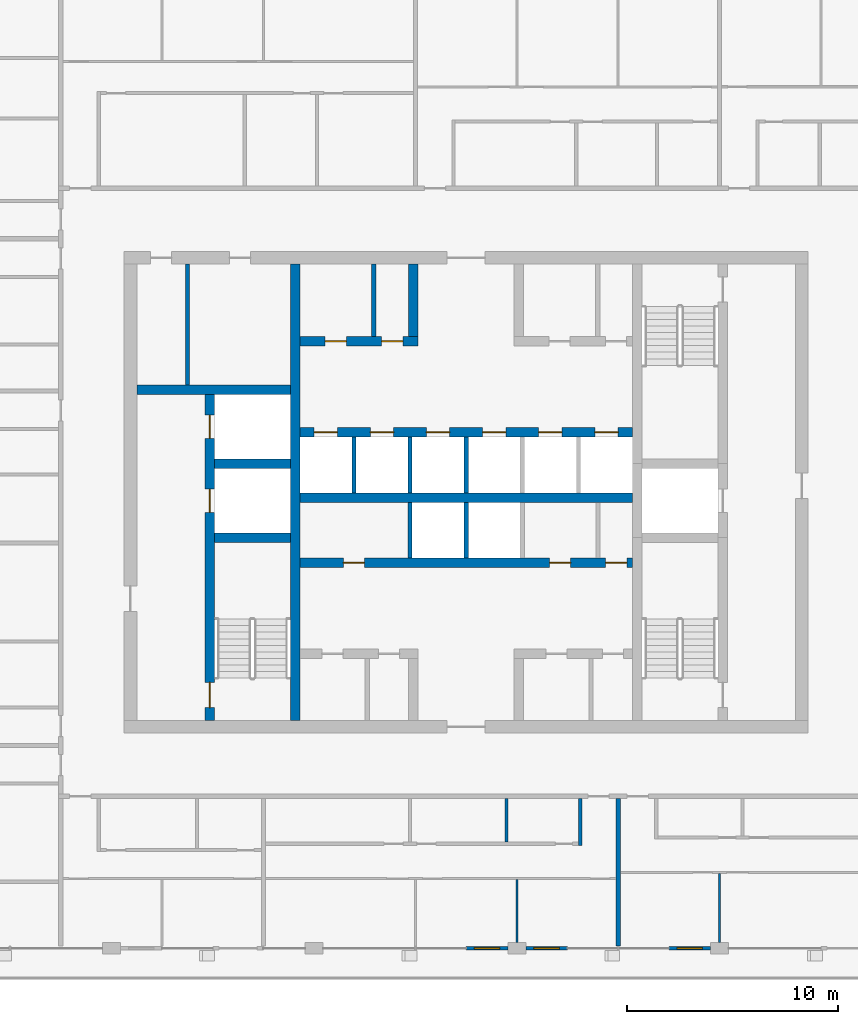
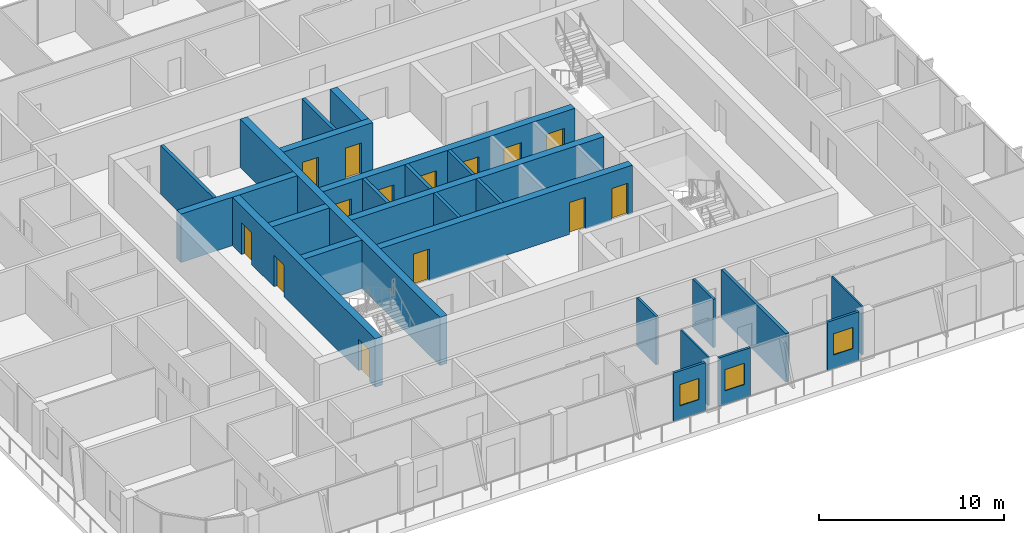
# One storey, part 11 of 22: 25 walls, 14 doors, 3 windows, 17 openings.
"""IFC4 building model written with IfcOpenShell, lengths in metres."""

from ifc_helpers import new_model, si_unit, direction, frame, frame_2d, origin, place, context, subcontext, project, spatial, rectangle, extrude, material, layer, layer_set, type_object, element, fill, save


model = new_model("IFC4")

# Units and contexts
model_context = context("Model", 3, precision=1e-05, world=origin(), true_north=direction((0.0, 1.0)))
body_context = subcontext(model_context, "Body", "Model", "MODEL_VIEW")
ifc_project = project(units=[si_unit("LENGTHUNIT", "METRE"), si_unit("AREAUNIT", "SQUARE_METRE"), si_unit("VOLUMEUNIT", "CUBIC_METRE"), si_unit("PLANEANGLEUNIT", "RADIAN"), si_unit("MASSUNIT", "GRAM", prefix="KILO")], contexts=[model_context])

# Site, building, storey
site_placement = place(None, origin())
site = spatial("IfcSite", under=ifc_project, at=site_placement, CompositionType="ELEMENT")
building_placement = place(site_placement, origin())
building = spatial("IfcBuilding", under=site, at=building_placement, Name="Madar Terraces", CompositionType="ELEMENT")
storey_placement = place(building_placement, frame((0.0, 0.0, 249.199951171875)))
storey = spatial("IfcBuildingStorey", under=building, at=storey_placement, Name="L65", CompositionType="ELEMENT", Elevation=249.199951171875)

# Wall, openings, doors
ifc_material_1 = material(Name="Concrete C55/67", Category="concrete")
ifc_layer_1 = layer(ifc_material_1, 0.449951171875)
ifc_layer_set_1 = layer_set([ifc_layer_1], Name="Concrete C55/67 (CIW5 RC wall 450)")
wall_type_1 = type_object("IfcWallType", Name="CIW5 RC wall 450", PredefinedType="SHEAR", material=ifc_layer_set_1)
wall_1_placement = place(storey_placement, frame((19.050048828125, 15.60009765625, 0.0), z_axis=(0.0, 0.0, 1.0), x_axis=(0.0, 1.0, 0.0)))
wall_1 = element("IfcWall", 1, at=wall_1_placement, inside=storey, type_object=wall_type_1, Name="CORE SHAFT WALL", PredefinedType="SHEAR", context=body_context, shape_type="SweptSolid", body=[
    extrude(rectangle(XDim=15.4248046875, YDim=0.449951171875, at=frame_2d((7.71240234375, 0.0))), origin(), (0.0, 0.0, 1.0), 3.199951171875),
])
opening_1_placement = place(wall_1_placement, frame((9.85009765625, 0.0, 0.0)))
opening_1 = element("IfcOpeningElement", 2, at=opening_1_placement, cuts=wall_1, Name="Opening LD", PredefinedType="OPENING", context=body_context, shape_type="SweptSolid", body=[
    extrude(rectangle(XDim=1.10009765625, YDim=2.10009765625, at=frame_2d((0.550048828125, 1.050048828125))), frame((0.0, 0.23486328125, 0.0), z_axis=(0.0, -1.0, 0.0), x_axis=(1.0, 0.0, 0.0)), (0.0, 0.0, 1.0), 0.469970703125),
])
opening_2_placement = place(wall_1_placement, frame((13.35009765625, 0.0, 0.0)))
opening_2 = element("IfcOpeningElement", 3, at=opening_2_placement, cuts=wall_1, Name="Opening LD", PredefinedType="OPENING", context=body_context, shape_type="SweptSolid", body=[
    extrude(rectangle(XDim=1.10009765625, YDim=2.10009765625, at=frame_2d((0.550048828125, 1.050048828125))), frame((0.0, 0.23486328125, 0.0), z_axis=(0.0, -1.0, 0.0), x_axis=(1.0, 0.0, 0.0)), (0.0, 0.0, 1.0), 0.469970703125),
])
opening_3_placement = place(wall_1_placement, frame((0.60009765625, 0.0, 0.0)))
opening_3 = element("IfcOpeningElement", 4, at=opening_3_placement, cuts=wall_1, Name="Opening SD1", PredefinedType="OPENING", context=body_context, shape_type="SweptSolid", body=[
    extrude(rectangle(XDim=1.199951171875, YDim=2.10009765625, at=frame_2d((0.60009765625, 1.050048828125))), frame((0.0, 0.23486328125, 0.0), z_axis=(0.0, -1.0, 0.0), x_axis=(1.0, 0.0, 0.0)), (0.0, 0.0, 1.0), 0.469970703125),
])
ifc_material_2 = material(Name="Stainless steel panel", Category="steel")
door_type_1 = type_object("IfcDoorType", Name="Lift landing door 1100 x 2100", OperationType="DOUBLE_DOOR_SLIDING", PredefinedType="DOOR", material=ifc_material_2)
door_1_placement = place(opening_1_placement, origin())
door_1 = element("IfcDoor", 5, at=door_1_placement, inside=storey, type_object=door_type_1, Name="LIFT LANDING DOOR", OperationType="DOUBLE_DOOR_SLIDING", OverallHeight=2.10009765625, OverallWidth=1.10009765625, PredefinedType="DOOR", context=body_context, shape_type="SweptSolid", body=[
    extrude(rectangle(XDim=1.10009765625, YDim=2.10009765625, at=frame_2d((0.550048828125, 1.050048828125))), frame((0.0, 0.02490234375, 0.0), z_axis=(0.0, -1.0, 0.0), x_axis=(1.0, 0.0, 0.0)), (0.0, 0.0, 1.0), 0.050048828125),
])
fill(opening_1, door_1)
door_2_placement = place(opening_2_placement, origin())
door_2 = element("IfcDoor", 6, at=door_2_placement, inside=storey, type_object=door_type_1, Name="LIFT LANDING DOOR", OperationType="DOUBLE_DOOR_SLIDING", OverallHeight=2.10009765625, OverallWidth=1.10009765625, PredefinedType="DOOR", context=body_context, shape_type="SweptSolid", body=[
    extrude(rectangle(XDim=1.10009765625, YDim=2.10009765625, at=frame_2d((0.550048828125, 1.050048828125))), frame((0.0, 0.02490234375, 0.0), z_axis=(0.0, -1.0, 0.0), x_axis=(1.0, 0.0, 0.0)), (0.0, 0.0, 1.0), 0.050048828125),
])
fill(opening_2, door_2)
ifc_material_3 = material(Name="Steel door leaf", Category="steel")
door_type_2 = type_object("IfcDoorType", Name="Stair door 1200 x 2100", OperationType="NOTDEFINED", PredefinedType="DOOR", material=ifc_material_3)
door_3_placement = place(opening_3_placement, frame((1.199951171875, 0.0, 0.0), z_axis=(0.0, 0.0, 1.0), x_axis=(-1.0, 0.0, 0.0)))
door_3 = element("IfcDoor", 7, at=door_3_placement, inside=storey, type_object=door_type_2, Name="STAIR DOOR", OperationType="SINGLE_SWING_LEFT", OverallHeight=2.10009765625, OverallWidth=1.199951171875, PredefinedType="DOOR", context=body_context, shape_type="SweptSolid", body=[
    extrude(rectangle(XDim=1.199951171875, YDim=2.10009765625, at=frame_2d((0.60009765625, 1.050048828125))), frame((0.0, 0.02490234375, 0.0), z_axis=(0.0, -1.0, 0.0), x_axis=(1.0, 0.0, 0.0)), (0.0, 0.0, 1.0), 0.050048828125),
])
fill(opening_3, door_3)

# Walls
wall_2_placement = place(storey_placement, frame((23.10009765625, 15.60009765625, 0.0), z_axis=(0.0, 0.0, 1.0), x_axis=(0.0, 1.0, 0.0)))
element("IfcWall", 8, at=wall_2_placement, inside=storey, type_object=wall_type_1, Name="CORE SHAFT WALL", PredefinedType="SHEAR", context=body_context, shape_type="SweptSolid", body=[
    extrude(rectangle(XDim=21.599853515625, YDim=0.449951171875, at=frame_2d((10.7998046875, 0.0))), origin(), (0.0, 0.0, 1.0), 3.199951171875),
])
for number, where, z_axis, x_axis, name in (
    (9, (19.27490234375, 24.25, 0.0), (0.0, 0.0, 1.0), (1.0, 0.0, 0.0), "CORE SHAFT WALL"),
    (10, (19.27490234375, 27.75, 0.0), (0.0, 0.0, 1.0), (1.0, 0.0, 0.0), "CORE SHAFT WALL"),
):
    element("IfcWall", number, at=place(storey_placement, frame(where, z_axis=z_axis, x_axis=x_axis)), inside=storey, type_object=wall_type_1, Name=name, PredefinedType="SHEAR", context=body_context, shape_type="SweptSolid", body=[
        extrude(rectangle(XDim=3.60009765625, YDim=0.449951171875, at=frame_2d((1.800048828125, 0.0))), origin(), (0.0, 0.0, 1.0), 3.199951171875),
    ])
wall_3_placement = place(storey_placement, frame((15.60009765625, 31.25, 0.0), z_axis=(0.0, 0.0, 1.0), x_axis=(1.0, 0.0, 0.0)))
element("IfcWall", 11, at=wall_3_placement, inside=storey, type_object=wall_type_1, Name="CORE SHAFT WALL", PredefinedType="SHEAR", context=body_context, shape_type="SweptSolid", body=[
    extrude(rectangle(XDim=7.27490234375, YDim=0.449951171875, at=frame_2d((3.637451171875, 0.0))), origin(), (0.0, 0.0, 1.0), 3.199951171875),
])

# Wall, openings, doors
wall_4_placement = place(storey_placement, frame((23.324951171875, 23.050048828125, 0.0), z_axis=(0.0, 0.0, 1.0), x_axis=(1.0, 0.0, 0.0)))
wall_4 = element("IfcWall", 12, at=wall_4_placement, inside=storey, type_object=wall_type_1, Name="CORE SHAFT WALL", PredefinedType="SHEAR", context=body_context, shape_type="SweptSolid", body=[
    extrude(rectangle(XDim=15.75, YDim=0.449951171875, at=frame_2d((7.875, 0.0))), origin(), (0.0, 0.0, 1.0), 3.199951171875),
])
opening_4_placement = place(wall_4_placement, frame((2.058349609375, 0.0, 0.0)))
opening_4 = element("IfcOpeningElement", 13, at=opening_4_placement, cuts=wall_4, Name="Opening KD2", PredefinedType="OPENING", context=body_context, shape_type="SweptSolid", body=[
    extrude(rectangle(XDim=1.0, YDim=2.10009765625, at=frame_2d((0.5, 1.050048828125))), frame((0.0, 0.23486328125, 0.0), z_axis=(0.0, -1.0, 0.0), x_axis=(1.0, 0.0, 0.0)), (0.0, 0.0, 1.0), 0.469970703125),
])
opening_5_placement = place(wall_4_placement, frame((11.822998046875, 0.0, 0.0)))
opening_5 = element("IfcOpeningElement", 14, at=opening_5_placement, cuts=wall_4, Name="Opening KD2", PredefinedType="OPENING", context=body_context, shape_type="SweptSolid", body=[
    extrude(rectangle(XDim=1.0, YDim=2.10009765625, at=frame_2d((0.5, 1.050048828125))), frame((0.0, 0.23486328125, 0.0), z_axis=(0.0, -1.0, 0.0), x_axis=(1.0, 0.0, 0.0)), (0.0, 0.0, 1.0), 0.469970703125),
])
opening_6_placement = place(wall_4_placement, frame((14.4814453125, 0.0, 0.0)))
opening_6 = element("IfcOpeningElement", 15, at=opening_6_placement, cuts=wall_4, Name="Opening KD2", PredefinedType="OPENING", context=body_context, shape_type="SweptSolid", body=[
    extrude(rectangle(XDim=1.0, YDim=2.10009765625, at=frame_2d((0.5, 1.050048828125))), frame((0.0, 0.23486328125, 0.0), z_axis=(0.0, -1.0, 0.0), x_axis=(1.0, 0.0, 0.0)), (0.0, 0.0, 1.0), 0.469970703125),
])
ifc_material_4 = material(Name="Steel door leaf", Category="steel")
door_type_3 = type_object("IfcDoorType", Name="Service room door 1000 x 2100", OperationType="NOTDEFINED", PredefinedType="DOOR", material=ifc_material_4)
door_4_placement = place(opening_4_placement, frame((1.0, 0.0, 0.0), z_axis=(0.0, 0.0, 1.0), x_axis=(-1.0, 0.0, 0.0)))
door_4 = element("IfcDoor", 16, at=door_4_placement, inside=storey, type_object=door_type_3, Name="SERVICE ROOM DOOR", OperationType="SINGLE_SWING_RIGHT", OverallHeight=2.10009765625, OverallWidth=1.0, PredefinedType="DOOR", context=body_context, shape_type="SweptSolid", body=[
    extrude(rectangle(XDim=1.0, YDim=2.10009765625, at=frame_2d((0.5, 1.050048828125))), frame((0.0, 0.02490234375, 0.0), z_axis=(0.0, -1.0, 0.0), x_axis=(1.0, 0.0, 0.0)), (0.0, 0.0, 1.0), 0.050048828125),
])
fill(opening_4, door_4)
door_5_placement = place(opening_5_placement, frame((1.0, 0.0, 0.0), z_axis=(0.0, 0.0, 1.0), x_axis=(-1.0, 0.0, 0.0)))
door_5 = element("IfcDoor", 17, at=door_5_placement, inside=storey, type_object=door_type_3, Name="SERVICE ROOM DOOR", OperationType="SINGLE_SWING_LEFT", OverallHeight=2.10009765625, OverallWidth=1.0, PredefinedType="DOOR", context=body_context, shape_type="SweptSolid", body=[
    extrude(rectangle(XDim=1.0, YDim=2.10009765625, at=frame_2d((0.5, 1.050048828125))), frame((0.0, 0.02490234375, 0.0), z_axis=(0.0, -1.0, 0.0), x_axis=(1.0, 0.0, 0.0)), (0.0, 0.0, 1.0), 0.050048828125),
])
fill(opening_5, door_5)
door_6_placement = place(opening_6_placement, frame((1.0, 0.0, 0.0), z_axis=(0.0, 0.0, 1.0), x_axis=(-1.0, 0.0, 0.0)))
door_6 = element("IfcDoor", 18, at=door_6_placement, inside=storey, type_object=door_type_3, Name="SERVICE ROOM DOOR", OperationType="SINGLE_SWING_RIGHT", OverallHeight=2.10009765625, OverallWidth=1.0, PredefinedType="DOOR", context=body_context, shape_type="SweptSolid", body=[
    extrude(rectangle(XDim=1.0, YDim=2.10009765625, at=frame_2d((0.5, 1.050048828125))), frame((0.0, 0.02490234375, 0.0), z_axis=(0.0, -1.0, 0.0), x_axis=(1.0, 0.0, 0.0)), (0.0, 0.0, 1.0), 0.050048828125),
])
fill(opening_6, door_6)

# Wall
wall_5_placement = place(storey_placement, frame((23.324951171875, 26.14990234375, 0.0), z_axis=(0.0, 0.0, 1.0), x_axis=(1.0, 0.0, 0.0)))
element("IfcWall", 19, at=wall_5_placement, inside=storey, type_object=wall_type_1, Name="CORE SHAFT WALL", PredefinedType="SHEAR", context=body_context, shape_type="SweptSolid", body=[
    extrude(rectangle(XDim=15.75, YDim=0.449951171875, at=frame_2d((7.875, 0.0))), origin(), (0.0, 0.0, 1.0), 3.199951171875),
])

# Wall, openings, doors
wall_6_placement = place(storey_placement, frame((23.324951171875, 29.25, 0.0), z_axis=(0.0, 0.0, 1.0), x_axis=(1.0, 0.0, 0.0)))
wall_6 = element("IfcWall", 20, at=wall_6_placement, inside=storey, type_object=wall_type_1, Name="CORE SHAFT WALL", PredefinedType="SHEAR", context=body_context, shape_type="SweptSolid", body=[
    extrude(rectangle(XDim=15.75, YDim=0.449951171875, at=frame_2d((7.875, 0.0))), origin(), (0.0, 0.0, 1.0), 3.199951171875),
])
opening_7_placement = place(wall_6_placement, frame((0.67919921875, 0.0, 0.0)))
opening_7 = element("IfcOpeningElement", 21, at=opening_7_placement, cuts=wall_6, Name="Opening LD", PredefinedType="OPENING", context=body_context, shape_type="SweptSolid", body=[
    extrude(rectangle(XDim=1.10009765625, YDim=2.10009765625, at=frame_2d((0.550048828125, 1.050048828125))), frame((0.0, 0.23486328125, 0.0), z_axis=(0.0, -1.0, 0.0), x_axis=(1.0, 0.0, 0.0)), (0.0, 0.0, 1.0), 0.469970703125),
])
opening_8_placement = place(wall_6_placement, frame((3.33740234375, 0.0, 0.0)))
opening_8 = element("IfcOpeningElement", 22, at=opening_8_placement, cuts=wall_6, Name="Opening LD", PredefinedType="OPENING", context=body_context, shape_type="SweptSolid", body=[
    extrude(rectangle(XDim=1.10009765625, YDim=2.10009765625, at=frame_2d((0.550048828125, 1.050048828125))), frame((0.0, 0.23486328125, 0.0), z_axis=(0.0, -1.0, 0.0), x_axis=(1.0, 0.0, 0.0)), (0.0, 0.0, 1.0), 0.469970703125),
])
opening_9_placement = place(wall_6_placement, frame((5.995849609375, 0.0, 0.0)))
opening_9 = element("IfcOpeningElement", 23, at=opening_9_placement, cuts=wall_6, Name="Opening LD", PredefinedType="OPENING", context=body_context, shape_type="SweptSolid", body=[
    extrude(rectangle(XDim=1.10009765625, YDim=2.10009765625, at=frame_2d((0.550048828125, 1.050048828125))), frame((0.0, 0.23486328125, 0.0), z_axis=(0.0, -1.0, 0.0), x_axis=(1.0, 0.0, 0.0)), (0.0, 0.0, 1.0), 0.469970703125),
])
opening_10_placement = place(wall_6_placement, frame((8.654052734375, 0.0, 0.0)))
opening_10 = element("IfcOpeningElement", 24, at=opening_10_placement, cuts=wall_6, Name="Opening LD", PredefinedType="OPENING", context=body_context, shape_type="SweptSolid", body=[
    extrude(rectangle(XDim=1.10009765625, YDim=2.10009765625, at=frame_2d((0.550048828125, 1.050048828125))), frame((0.0, 0.23486328125, 0.0), z_axis=(0.0, -1.0, 0.0), x_axis=(1.0, 0.0, 0.0)), (0.0, 0.0, 1.0), 0.469970703125),
])
opening_11_placement = place(wall_6_placement, frame((11.3125, 0.0, 0.0)))
opening_11 = element("IfcOpeningElement", 25, at=opening_11_placement, cuts=wall_6, Name="Opening LD", PredefinedType="OPENING", context=body_context, shape_type="SweptSolid", body=[
    extrude(rectangle(XDim=1.10009765625, YDim=2.10009765625, at=frame_2d((0.550048828125, 1.050048828125))), frame((0.0, 0.23486328125, 0.0), z_axis=(0.0, -1.0, 0.0), x_axis=(1.0, 0.0, 0.0)), (0.0, 0.0, 1.0), 0.469970703125),
])
opening_12_placement = place(wall_6_placement, frame((13.970947265625, 0.0, 0.0)))
opening_12 = element("IfcOpeningElement", 26, at=opening_12_placement, cuts=wall_6, Name="Opening LD", PredefinedType="OPENING", context=body_context, shape_type="SweptSolid", body=[
    extrude(rectangle(XDim=1.10009765625, YDim=2.10009765625, at=frame_2d((0.550048828125, 1.050048828125))), frame((0.0, 0.23486328125, 0.0), z_axis=(0.0, -1.0, 0.0), x_axis=(1.0, 0.0, 0.0)), (0.0, 0.0, 1.0), 0.469970703125),
])
door_7_placement = place(opening_7_placement, origin())
door_7 = element("IfcDoor", 27, at=door_7_placement, inside=storey, type_object=door_type_1, Name="LIFT LANDING DOOR", OperationType="DOUBLE_DOOR_SLIDING", OverallHeight=2.10009765625, OverallWidth=1.10009765625, PredefinedType="DOOR", context=body_context, shape_type="SweptSolid", body=[
    extrude(rectangle(XDim=1.10009765625, YDim=2.10009765625, at=frame_2d((0.550048828125, 1.050048828125))), frame((0.0, 0.02490234375, 0.0), z_axis=(0.0, -1.0, 0.0), x_axis=(1.0, 0.0, 0.0)), (0.0, 0.0, 1.0), 0.050048828125),
])
fill(opening_7, door_7)
door_8_placement = place(opening_8_placement, origin())
door_8 = element("IfcDoor", 28, at=door_8_placement, inside=storey, type_object=door_type_1, Name="LIFT LANDING DOOR", OperationType="DOUBLE_DOOR_SLIDING", OverallHeight=2.10009765625, OverallWidth=1.10009765625, PredefinedType="DOOR", context=body_context, shape_type="SweptSolid", body=[
    extrude(rectangle(XDim=1.10009765625, YDim=2.10009765625, at=frame_2d((0.550048828125, 1.050048828125))), frame((0.0, 0.02490234375, 0.0), z_axis=(0.0, -1.0, 0.0), x_axis=(1.0, 0.0, 0.0)), (0.0, 0.0, 1.0), 0.050048828125),
])
fill(opening_8, door_8)
door_9_placement = place(opening_9_placement, origin())
door_9 = element("IfcDoor", 29, at=door_9_placement, inside=storey, type_object=door_type_1, Name="LIFT LANDING DOOR", OperationType="DOUBLE_DOOR_SLIDING", OverallHeight=2.10009765625, OverallWidth=1.10009765625, PredefinedType="DOOR", context=body_context, shape_type="SweptSolid", body=[
    extrude(rectangle(XDim=1.10009765625, YDim=2.10009765625, at=frame_2d((0.550048828125, 1.050048828125))), frame((0.0, 0.02490234375, 0.0), z_axis=(0.0, -1.0, 0.0), x_axis=(1.0, 0.0, 0.0)), (0.0, 0.0, 1.0), 0.050048828125),
])
fill(opening_9, door_9)
door_10_placement = place(opening_10_placement, origin())
door_10 = element("IfcDoor", 30, at=door_10_placement, inside=storey, type_object=door_type_1, Name="LIFT LANDING DOOR", OperationType="DOUBLE_DOOR_SLIDING", OverallHeight=2.10009765625, OverallWidth=1.10009765625, PredefinedType="DOOR", context=body_context, shape_type="SweptSolid", body=[
    extrude(rectangle(XDim=1.10009765625, YDim=2.10009765625, at=frame_2d((0.550048828125, 1.050048828125))), frame((0.0, 0.02490234375, 0.0), z_axis=(0.0, -1.0, 0.0), x_axis=(1.0, 0.0, 0.0)), (0.0, 0.0, 1.0), 0.050048828125),
])
fill(opening_10, door_10)
door_11_placement = place(opening_11_placement, origin())
door_11 = element("IfcDoor", 31, at=door_11_placement, inside=storey, type_object=door_type_1, Name="LIFT LANDING DOOR", OperationType="DOUBLE_DOOR_SLIDING", OverallHeight=2.10009765625, OverallWidth=1.10009765625, PredefinedType="DOOR", context=body_context, shape_type="SweptSolid", body=[
    extrude(rectangle(XDim=1.10009765625, YDim=2.10009765625, at=frame_2d((0.550048828125, 1.050048828125))), frame((0.0, 0.02490234375, 0.0), z_axis=(0.0, -1.0, 0.0), x_axis=(1.0, 0.0, 0.0)), (0.0, 0.0, 1.0), 0.050048828125),
])
fill(opening_11, door_11)
door_12_placement = place(opening_12_placement, origin())
door_12 = element("IfcDoor", 32, at=door_12_placement, inside=storey, type_object=door_type_1, Name="LIFT LANDING DOOR", OperationType="DOUBLE_DOOR_SLIDING", OverallHeight=2.10009765625, OverallWidth=1.10009765625, PredefinedType="DOOR", context=body_context, shape_type="SweptSolid", body=[
    extrude(rectangle(XDim=1.10009765625, YDim=2.10009765625, at=frame_2d((0.550048828125, 1.050048828125))), frame((0.0, 0.02490234375, 0.0), z_axis=(0.0, -1.0, 0.0), x_axis=(1.0, 0.0, 0.0)), (0.0, 0.0, 1.0), 0.050048828125),
])
fill(opening_12, door_12)

wall_7_placement = place(storey_placement, frame((23.324951171875, 33.550048828125, 0.0), z_axis=(0.0, 0.0, 1.0), x_axis=(1.0, 0.0, 0.0)))
wall_7 = element("IfcWall", 33, at=wall_7_placement, inside=storey, type_object=wall_type_1, Name="CORE SHAFT WALL", PredefinedType="SHEAR", context=body_context, shape_type="SweptSolid", body=[
    extrude(rectangle(XDim=5.60009765625, YDim=0.449951171875, at=frame_2d((2.800048828125, 0.0))), origin(), (0.0, 0.0, 1.0), 3.199951171875),
])
opening_13_placement = place(wall_7_placement, frame((1.200927734375, 0.0, 0.0)))
opening_13 = element("IfcOpeningElement", 34, at=opening_13_placement, cuts=wall_7, Name="Opening KD2", PredefinedType="OPENING", context=body_context, shape_type="SweptSolid", body=[
    extrude(rectangle(XDim=1.0, YDim=2.10009765625, at=frame_2d((0.5, 1.050048828125))), frame((0.0, 0.23486328125, 0.0), z_axis=(0.0, -1.0, 0.0), x_axis=(1.0, 0.0, 0.0)), (0.0, 0.0, 1.0), 0.469970703125),
])
opening_14_placement = place(wall_7_placement, frame((3.8759765625, 0.0, 0.0)))
opening_14 = element("IfcOpeningElement", 35, at=opening_14_placement, cuts=wall_7, Name="Opening KD2", PredefinedType="OPENING", context=body_context, shape_type="SweptSolid", body=[
    extrude(rectangle(XDim=1.0, YDim=2.10009765625, at=frame_2d((0.5, 1.050048828125))), frame((0.0, 0.23486328125, 0.0), z_axis=(0.0, -1.0, 0.0), x_axis=(1.0, 0.0, 0.0)), (0.0, 0.0, 1.0), 0.469970703125),
])
door_13_placement = place(opening_13_placement, frame((1.0, 0.0, 0.0), z_axis=(0.0, 0.0, 1.0), x_axis=(-1.0, 0.0, 0.0)))
door_13 = element("IfcDoor", 36, at=door_13_placement, inside=storey, type_object=door_type_3, Name="SERVICE ROOM DOOR", OperationType="SINGLE_SWING_LEFT", OverallHeight=2.10009765625, OverallWidth=1.0, PredefinedType="DOOR", context=body_context, shape_type="SweptSolid", body=[
    extrude(rectangle(XDim=1.0, YDim=2.10009765625, at=frame_2d((0.5, 1.050048828125))), frame((0.0, 0.02490234375, 0.0), z_axis=(0.0, -1.0, 0.0), x_axis=(1.0, 0.0, 0.0)), (0.0, 0.0, 1.0), 0.050048828125),
])
fill(opening_13, door_13)
door_14_placement = place(opening_14_placement, frame((1.0, 0.0, 0.0), z_axis=(0.0, 0.0, 1.0), x_axis=(-1.0, 0.0, 0.0)))
door_14 = element("IfcDoor", 37, at=door_14_placement, inside=storey, type_object=door_type_3, Name="SERVICE ROOM DOOR", OperationType="SINGLE_SWING_RIGHT", OverallHeight=2.10009765625, OverallWidth=1.0, PredefinedType="DOOR", context=body_context, shape_type="SweptSolid", body=[
    extrude(rectangle(XDim=1.0, YDim=2.10009765625, at=frame_2d((0.5, 1.050048828125))), frame((0.0, 0.02490234375, 0.0), z_axis=(0.0, -1.0, 0.0), x_axis=(1.0, 0.0, 0.0)), (0.0, 0.0, 1.0), 0.050048828125),
])
fill(opening_14, door_14)

# Walls
wall_8_placement = place(storey_placement, frame((28.699951171875, 33.77490234375, 0.0), z_axis=(0.0, 0.0, 1.0), x_axis=(0.0, 1.0, 0.0)))
element("IfcWall", 38, at=wall_8_placement, inside=storey, type_object=wall_type_1, Name="CORE SHAFT WALL", PredefinedType="SHEAR", context=body_context, shape_type="SweptSolid", body=[
    extrude(rectangle(XDim=3.425048828125, YDim=0.449951171875, at=frame_2d((1.71240234375, 0.0))), origin(), (0.0, 0.0, 1.0), 3.199951171875),
])
ifc_material_5 = material(Name="Masonry blockwork", Category="masonry")
ifc_layer_2 = layer(ifc_material_5, 0.199951171875)
ifc_layer_set_2 = layer_set([ifc_layer_2], Name="Core partition 200 blockwork")
wall_type_2 = type_object("IfcWallType", Name="Core partition 200 blockwork", PredefinedType="PARTITIONING", material=ifc_layer_set_2)
wall_9_placement = place(storey_placement, frame((18.000732421875, 31.47509765625, 0.0), z_axis=(0.0, 0.0, 1.0), x_axis=(0.0, 1.0, 0.0)))
element("IfcWall", 39, at=wall_9_placement, inside=storey, type_object=wall_type_2, Name="SERVICE ROOM PARTITION", PredefinedType="PARTITIONING", context=body_context, shape_type="SweptSolid", body=[
    extrude(rectangle(XDim=5.724853515625, YDim=0.199951171875, at=frame_2d((2.8623046875, 0.0))), origin(), (0.0, 0.0, 1.0), 3.199951171875),
])
wall_10_placement = place(storey_placement, frame((26.826904296875, 33.77490234375, 0.0), z_axis=(0.0, 0.0, 1.0), x_axis=(0.0, 1.0, 0.0)))
element("IfcWall", 40, at=wall_10_placement, inside=storey, type_object=wall_type_2, Name="SERVICE ROOM PARTITION", PredefinedType="PARTITIONING", context=body_context, shape_type="SweptSolid", body=[
    extrude(rectangle(XDim=3.425048828125, YDim=0.199951171875, at=frame_2d((1.71240234375, 0.0))), origin(), (0.0, 0.0, 1.0), 3.199951171875),
])
ifc_material_6 = material(Name="Concrete C40/50", Category="concrete")
ifc_layer_3 = layer(ifc_material_6, 0.199951171875)
ifc_layer_set_3 = layer_set([ifc_layer_3], Name="Core shaft dividing wall 200 C40/50")
wall_type_3 = type_object("IfcWallType", Name="Core shaft dividing wall 200 C40/50", PredefinedType="SOLIDWALL", material=ifc_layer_set_3)
wall_11_placement = place(storey_placement, frame((25.88330078125, 26.375, 0.0), z_axis=(0.0, 0.0, 1.0), x_axis=(0.0, 1.0, 0.0)))
element("IfcWall", 41, at=wall_11_placement, inside=storey, type_object=wall_type_3, Name="SHAFT DIVIDING WALL", PredefinedType="SOLIDWALL", context=body_context, shape_type="SweptSolid", body=[
    extrude(rectangle(XDim=2.64990234375, YDim=0.199951171875, at=frame_2d((1.324951171875, 0.0))), origin(), (0.0, 0.0, 1.0), 3.199951171875),
])
wall_12_placement = place(storey_placement, frame((28.541748046875, 23.27490234375, 0.0), z_axis=(0.0, 0.0, 1.0), x_axis=(0.0, 1.0, 0.0)))
element("IfcWall", 42, at=wall_12_placement, inside=storey, type_object=wall_type_3, Name="SHAFT DIVIDING WALL", PredefinedType="SOLIDWALL", context=body_context, shape_type="SweptSolid", body=[
    extrude(rectangle(XDim=2.650146484375, YDim=0.199951171875, at=frame_2d((1.3251953125, 0.0))), origin(), (0.0, 0.0, 1.0), 3.199951171875),
])
wall_13_placement = place(storey_placement, frame((28.541748046875, 26.375, 0.0), z_axis=(0.0, 0.0, 1.0), x_axis=(0.0, 1.0, 0.0)))
element("IfcWall", 43, at=wall_13_placement, inside=storey, type_object=wall_type_3, Name="SHAFT DIVIDING WALL", PredefinedType="SOLIDWALL", context=body_context, shape_type="SweptSolid", body=[
    extrude(rectangle(XDim=2.64990234375, YDim=0.199951171875, at=frame_2d((1.324951171875, 0.0))), origin(), (0.0, 0.0, 1.0), 3.199951171875),
])
wall_14_placement = place(storey_placement, frame((31.199951171875, 23.27490234375, 0.0), z_axis=(0.0, 0.0, 1.0), x_axis=(0.0, 1.0, 0.0)))
element("IfcWall", 44, at=wall_14_placement, inside=storey, type_object=wall_type_3, Name="SHAFT DIVIDING WALL", PredefinedType="SOLIDWALL", context=body_context, shape_type="SweptSolid", body=[
    extrude(rectangle(XDim=2.650146484375, YDim=0.199951171875, at=frame_2d((1.3251953125, 0.0))), origin(), (0.0, 0.0, 1.0), 3.199951171875),
])
wall_15_placement = place(storey_placement, frame((31.199951171875, 26.375, 0.0), z_axis=(0.0, 0.0, 1.0), x_axis=(0.0, 1.0, 0.0)))
element("IfcWall", 45, at=wall_15_placement, inside=storey, type_object=wall_type_3, Name="SHAFT DIVIDING WALL", PredefinedType="SOLIDWALL", context=body_context, shape_type="SweptSolid", body=[
    extrude(rectangle(XDim=2.64990234375, YDim=0.199951171875, at=frame_2d((1.324951171875, 0.0))), origin(), (0.0, 0.0, 1.0), 3.199951171875),
])

# Wall, opening, window
ifc_material_7 = material(Name="Aluminium composite panel, black, over insulated backing", Category="aluminium")
ifc_layer_4 = layer(ifc_material_7, 0.14990234375)
ifc_layer_set_4 = layer_set([ifc_layer_4], Name="Facade bay panel 150")
wall_type_4 = type_object("IfcWallType", Name="Facade bay panel 150", PredefinedType="SOLIDWALL", material=ifc_layer_set_4)
wall_16_placement = place(storey_placement, frame((31.199951171875, 4.800048828125, 0.0), z_axis=(0.0, 0.0, 1.0), x_axis=(1.0, 0.0, 0.0)))
wall_16 = element("IfcWall", 46, at=wall_16_placement, inside=storey, type_object=wall_type_4, Name="Facade bay panel", PredefinedType="SOLIDWALL", context=body_context, shape_type="SweptSolid", body=[
    extrude(rectangle(XDim=1.97509765625, YDim=0.14990234375, at=frame_2d((0.987548828125, 0.0))), origin(), (0.0, 0.0, 1.0), 3.199951171875),
])
opening_15_placement = place(wall_16_placement, frame((0.387451171875, 0.0, 0.89990234375)))
opening_15 = element("IfcOpeningElement", 47, at=opening_15_placement, cuts=wall_16, Name="Opening W1", PredefinedType="OPENING", context=body_context, shape_type="SweptSolid", body=[
    extrude(rectangle(XDim=1.199951171875, YDim=1.39990234375, at=frame_2d((0.60009765625, 0.699951171875))), frame((0.0, 0.0849609375, 0.0), z_axis=(0.0, -1.0, 0.0), x_axis=(1.0, 0.0, 0.0)), (0.0, 0.0, 1.0), 0.169921875),
])
ifc_material_8 = material(Name="Glass, clear, with black aluminium frame", Category="aluminium")
window_type = type_object("IfcWindowType", Name="Vent window 1200 x 1400", PartitioningType="SINGLE_PANEL", PredefinedType="WINDOW", material=ifc_material_8)
window_1_placement = place(opening_15_placement, origin())
window_1 = element("IfcWindow", 48, at=window_1_placement, inside=storey, type_object=window_type, Name="Operable vent window", OverallHeight=1.39990234375, OverallWidth=1.199951171875, PartitioningType="SINGLE_PANEL", PredefinedType="WINDOW", context=body_context, shape_type="SweptSolid", body=[
    extrude(rectangle(XDim=1.199951171875, YDim=1.39990234375, at=frame_2d((0.60009765625, 0.699951171875))), frame((0.0, 0.030029296875, 0.0), z_axis=(0.0, -1.0, 0.0), x_axis=(1.0, 0.0, 0.0)), (0.0, 0.0, 1.0), 0.06005859375),
])
fill(opening_15, window_1)

wall_17_placement = place(storey_placement, frame((34.02490234375, 4.800048828125, 0.0), z_axis=(0.0, 0.0, 1.0), x_axis=(1.0, 0.0, 0.0)))
wall_17 = element("IfcWall", 49, at=wall_17_placement, inside=storey, type_object=wall_type_4, Name="Facade bay panel", PredefinedType="SOLIDWALL", context=body_context, shape_type="SweptSolid", body=[
    extrude(rectangle(XDim=1.97509765625, YDim=0.14990234375, at=frame_2d((0.987548828125, 0.0))), origin(), (0.0, 0.0, 1.0), 3.199951171875),
])
opening_16_placement = place(wall_17_placement, frame((0.387451171875, 0.0, 0.89990234375)))
opening_16 = element("IfcOpeningElement", 50, at=opening_16_placement, cuts=wall_17, Name="Opening W1", PredefinedType="OPENING", context=body_context, shape_type="SweptSolid", body=[
    extrude(rectangle(XDim=1.199951171875, YDim=1.39990234375, at=frame_2d((0.60009765625, 0.699951171875))), frame((0.0, 0.0849609375, 0.0), z_axis=(0.0, -1.0, 0.0), x_axis=(1.0, 0.0, 0.0)), (0.0, 0.0, 1.0), 0.169921875),
])
window_2_placement = place(opening_16_placement, origin())
window_2 = element("IfcWindow", 51, at=window_2_placement, inside=storey, type_object=window_type, Name="Operable vent window", OverallHeight=1.39990234375, OverallWidth=1.199951171875, PartitioningType="SINGLE_PANEL", PredefinedType="WINDOW", context=body_context, shape_type="SweptSolid", body=[
    extrude(rectangle(XDim=1.199951171875, YDim=1.39990234375, at=frame_2d((0.60009765625, 0.699951171875))), frame((0.0, 0.030029296875, 0.0), z_axis=(0.0, -1.0, 0.0), x_axis=(1.0, 0.0, 0.0)), (0.0, 0.0, 1.0), 0.06005859375),
])
fill(opening_16, window_2)

wall_18_placement = place(storey_placement, frame((40.800048828125, 4.800048828125, 0.0), z_axis=(0.0, 0.0, 1.0), x_axis=(1.0, 0.0, 0.0)))
wall_18 = element("IfcWall", 52, at=wall_18_placement, inside=storey, type_object=wall_type_4, Name="Facade bay panel", PredefinedType="SOLIDWALL", context=body_context, shape_type="SweptSolid", body=[
    extrude(rectangle(XDim=1.974853515625, YDim=0.14990234375, at=frame_2d((0.9873046875, 0.0))), origin(), (0.0, 0.0, 1.0), 3.199951171875),
])
opening_17_placement = place(wall_18_placement, frame((0.387451171875, 0.0, 0.89990234375)))
opening_17 = element("IfcOpeningElement", 53, at=opening_17_placement, cuts=wall_18, Name="Opening W1", PredefinedType="OPENING", context=body_context, shape_type="SweptSolid", body=[
    extrude(rectangle(XDim=1.199951171875, YDim=1.39990234375, at=frame_2d((0.60009765625, 0.699951171875))), frame((0.0, 0.0849609375, 0.0), z_axis=(0.0, -1.0, 0.0), x_axis=(1.0, 0.0, 0.0)), (0.0, 0.0, 1.0), 0.169921875),
])
window_3_placement = place(opening_17_placement, origin())
window_3 = element("IfcWindow", 54, at=window_3_placement, inside=storey, type_object=window_type, Name="Operable vent window", OverallHeight=1.39990234375, OverallWidth=1.199951171875, PartitioningType="SINGLE_PANEL", PredefinedType="WINDOW", context=body_context, shape_type="SweptSolid", body=[
    extrude(rectangle(XDim=1.199951171875, YDim=1.39990234375, at=frame_2d((0.60009765625, 0.699951171875))), frame((0.0, 0.030029296875, 0.0), z_axis=(0.0, -1.0, 0.0), x_axis=(1.0, 0.0, 0.0)), (0.0, 0.0, 1.0), 0.06005859375),
])
fill(opening_17, window_3)

# Walls
ifc_material_9 = material(Name="Gypsum board on steel studs", Category="steel")
ifc_layer_5 = layer(ifc_material_9, 0.10009765625)
ifc_layer_set_5 = layer_set([ifc_layer_5], Name="Flat partition 100")
wall_type_5 = type_object("IfcWallType", Name="Flat partition 100", PredefinedType="PARTITIONING", material=ifc_layer_set_5)
wall_19_placement = place(storey_placement, frame((33.60009765625, 8.050048828125, 0.0), z_axis=(0.0, 0.0, 1.0), x_axis=(0.0, -1.0, 0.0)))
element("IfcWall", 55, at=wall_19_placement, inside=storey, type_object=wall_type_5, Name="Flat partition 100", PredefinedType="PARTITIONING", context=body_context, shape_type="SweptSolid", body=[
    extrude(rectangle(XDim=2.97509765625, YDim=0.10009765625, at=frame_2d((1.487548828125, 0.0))), origin(), (0.0, 0.0, 1.0), 3.199951171875),
])
wall_20_placement = place(storey_placement, frame((43.199951171875, 8.35009765625, 0.0), z_axis=(0.0, 0.0, 1.0), x_axis=(0.0, -1.0, 0.0)))
element("IfcWall", 56, at=wall_20_placement, inside=storey, type_object=wall_type_5, Name="Flat partition 100", PredefinedType="PARTITIONING", context=body_context, shape_type="SweptSolid", body=[
    extrude(rectangle(XDim=3.275146484375, YDim=0.10009765625, at=frame_2d((1.6376953125, 0.0))), origin(), (0.0, 0.0, 1.0), 3.199951171875),
])
ifc_material_10 = material(Name="Lightweight blockwork", Category="masonry")
ifc_layer_6 = layer(ifc_material_10, 0.199951171875)
ifc_layer_set_6 = layer_set([ifc_layer_6], Name="Flat party and entrance wall 200")
wall_type_6 = type_object("IfcWallType", Name="Flat party and entrance wall 200", PredefinedType="PARTITIONING", material=ifc_layer_set_6)
wall_21_placement = place(storey_placement, frame((38.39990234375, 11.89990234375, 0.0), z_axis=(0.0, 0.0, 1.0), x_axis=(0.0, -1.0, 0.0)))
element("IfcWall", 57, at=wall_21_placement, inside=storey, type_object=wall_type_6, Name="Flat party and entrance wall 200", PredefinedType="PARTITIONING", context=body_context, shape_type="SweptSolid", body=[
    extrude(rectangle(XDim=7.0, YDim=0.199951171875, at=frame_2d((3.5, 0.0))), origin(), (0.0, 0.0, 1.0), 3.199951171875),
])
ifc_material_11 = material(Name="Lightweight blockwork", Category="masonry")
ifc_layer_7 = layer(ifc_material_11, 0.14990234375)
ifc_layer_set_7 = layer_set([ifc_layer_7], Name="Flat wet-room partition 150")
wall_type_7 = type_object("IfcWallType", Name="Flat wet-room partition 150", PredefinedType="PARTITIONING", material=ifc_layer_set_7)
wall_22_placement = place(storey_placement, frame((33.103759765625, 11.89990234375, 0.0), z_axis=(0.0, 0.0, 1.0), x_axis=(0.0, -1.0, 0.0)))
element("IfcWall", 58, at=wall_22_placement, inside=storey, type_object=wall_type_7, Name="Flat wet-room partition 150", PredefinedType="PARTITIONING", context=body_context, shape_type="SweptSolid", body=[
    extrude(rectangle(XDim=2.074951171875, YDim=0.14990234375, at=frame_2d((1.03759765625, 0.0))), origin(), (0.0, 0.0, 1.0), 3.199951171875),
])
wall_23_placement = place(storey_placement, frame((36.60009765625, 11.89990234375, 0.0), z_axis=(0.0, 0.0, 1.0), x_axis=(0.0, -1.0, 0.0)))
element("IfcWall", 59, at=wall_23_placement, inside=storey, type_object=wall_type_7, Name="Flat wet-room partition 150", PredefinedType="PARTITIONING", context=body_context, shape_type="SweptSolid", body=[
    extrude(rectangle(XDim=2.224853515625, YDim=0.14990234375, at=frame_2d((1.1123046875, 0.0))), origin(), (0.0, 0.0, 1.0), 3.199951171875),
])

save(model, "model.ifc")
